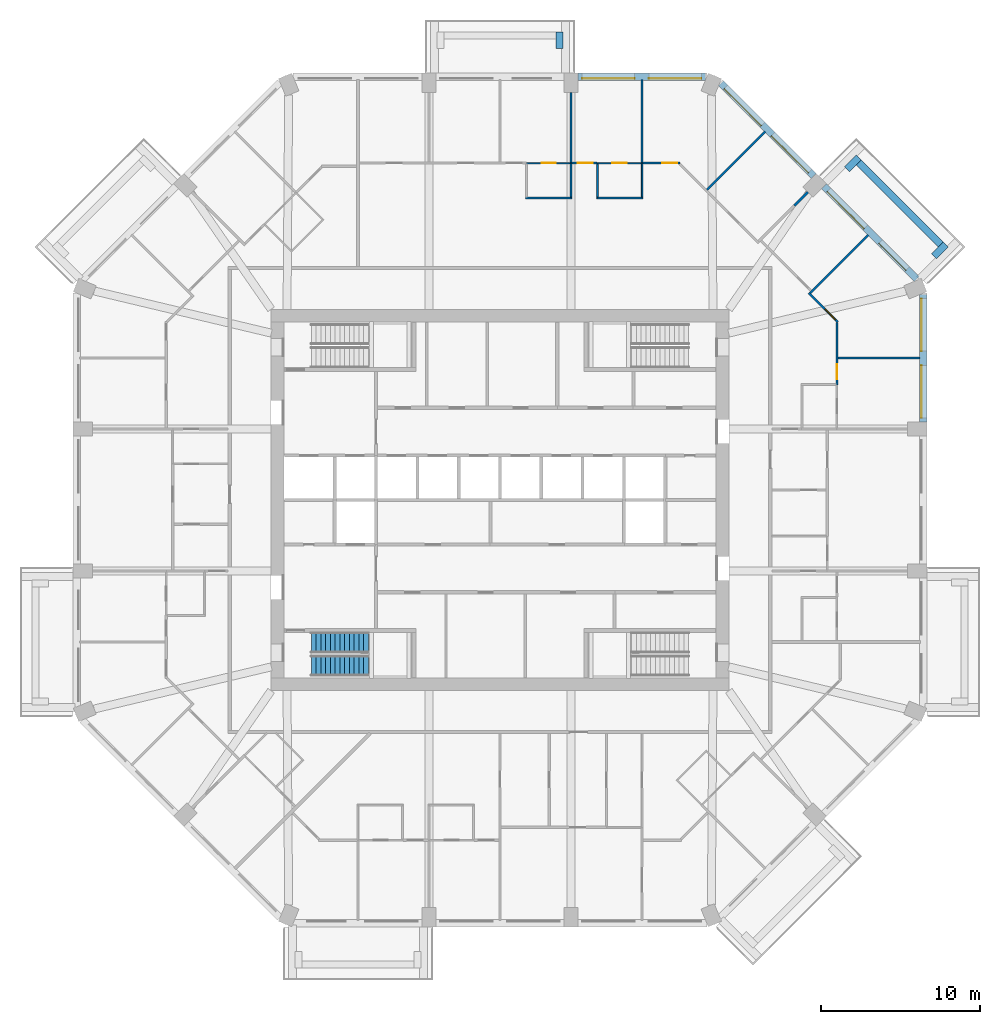
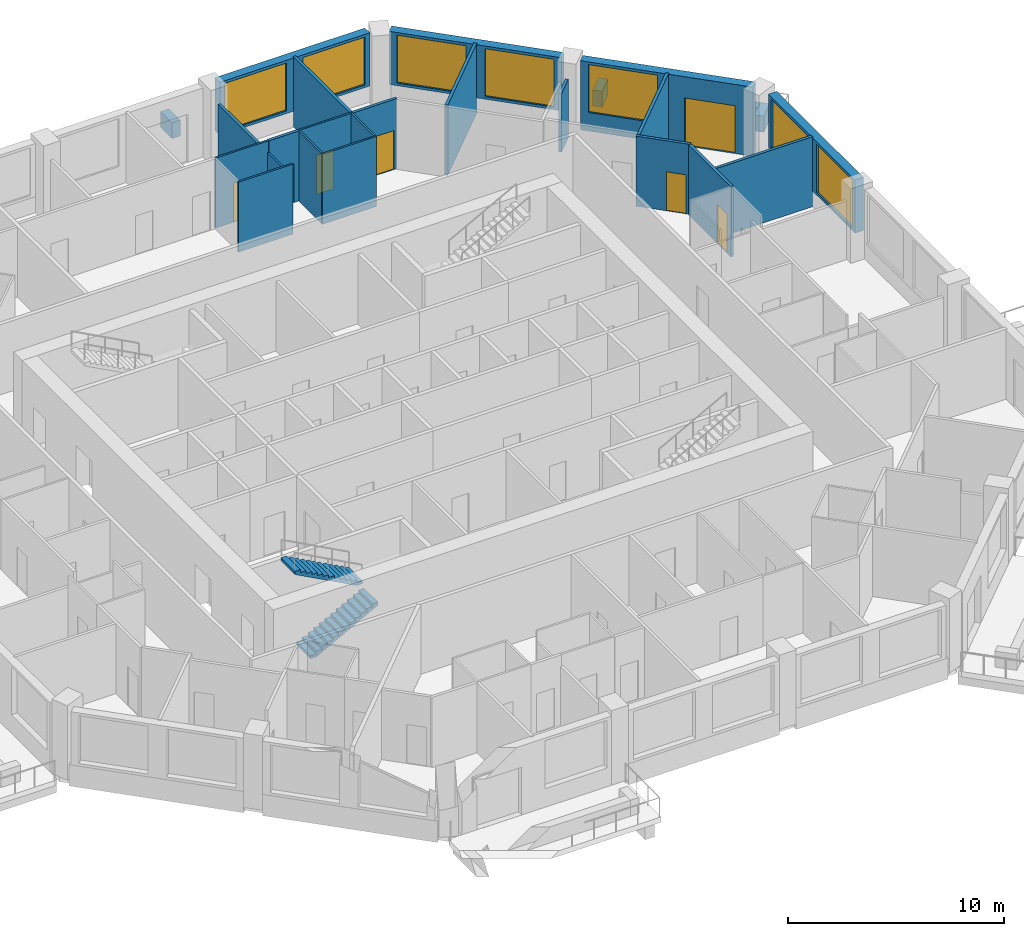
# One storey, part 10 of 12: 25 walls, 7 doors, 7 windows, 2 stair flights, 14 openings, 1 element without a shape of its own.
"""IFC4 building model written with IfcOpenShell, lengths in metres."""

from ifc_helpers import new_model, si_unit, direction, frame, frame_2d, origin, place, context, subcontext, project, spatial, polyline, rectangle, outline, extrude, material, layer, layer_set, type_object, element, fill, aggregate, save


model = new_model("IFC4")

# Units and contexts
model_context = context("Model", 3, precision=1e-05, world=origin(), true_north=direction((0.0, 1.0)))
body_context = subcontext(model_context, "Body", "Model", "MODEL_VIEW")
ifc_project = project(units=[si_unit("LENGTHUNIT", "METRE"), si_unit("AREAUNIT", "SQUARE_METRE"), si_unit("VOLUMEUNIT", "CUBIC_METRE"), si_unit("PLANEANGLEUNIT", "RADIAN"), si_unit("MASSUNIT", "GRAM", prefix="KILO")], contexts=[model_context])

# Site, building, storey
site_placement = place(None, origin())
site = spatial("IfcSite", under=ifc_project, at=site_placement, CompositionType="ELEMENT")
building_placement = place(site_placement, origin())
building = spatial("IfcBuilding", under=site, at=building_placement, Name="Msitu Wima Residences", CompositionType="ELEMENT")
storey_placement = place(building_placement, frame((0.0, 0.0, 123.300048828125)))
storey = spatial("IfcBuildingStorey", under=building, at=storey_placement, Name="L28", CompositionType="ELEMENT", Elevation=123.300048828125)

# Walls
ifc_material_1 = material(Name="Facing brick")
ifc_layer_1 = layer(ifc_material_1, 0.06494140625, Name="Facing brick")
ifc_material_2 = material(Name="Concrete C40/50", Category="concrete")
ifc_layer_2 = layer(ifc_material_2, 0.156005859375, Name="Concrete C40/50")
ifc_material_3 = material(Name="Waterproofing membrane")
ifc_layer_3 = layer(ifc_material_3, 0.00390625, Name="Waterproofing membrane")
ifc_material_4 = material(Name="Planting soil and planting")
ifc_layer_4 = layer(ifc_material_4, 0.22509765625, Name="Planting soil and planting")
ifc_layer_set_1 = layer_set([ifc_layer_1, ifc_layer_2, ifc_layer_3, ifc_layer_4], Name="Concrete C40/50")
wall_type_1 = type_object("IfcWallType", Name="Balcony planter PLANTER PL450", PredefinedType="USERDEFINED", material=ifc_layer_set_1)
wall_1_placement = place(storey_placement, frame((27.725830078125, 16.0751953125, 0.0), z_axis=(0.0, 0.0, 1.0), x_axis=(-0.707106781187, 0.707106781187, 0.0)))
element("IfcWall", 1, at=wall_1_placement, inside=storey, type_object=wall_type_1, Name="Balcony planter NE0 L28", ObjectType="PLANTER", PredefinedType="USERDEFINED", context=body_context, shape_type="SweptSolid", body=[
    extrude(rectangle(XDim=7.288330078125, YDim=0.449951171875, at=frame_2d((3.64404296875, 0.0))), origin(), (0.0, 0.0, 1.0), 0.89990234375),
])
for number, where, z_axis, x_axis, name in (
    (2, (27.301513671875, 15.332763671875, 0.0), (0.0, 0.0, 1.0), (0.707106781187, 0.707106781187, 0.0), "Balcony planter NE0 L28"),
    (3, (21.829833984375, 20.804443359375, 0.0), (0.0, 0.0, 1.0), (0.707106781187, 0.707106781187, 0.0), "Balcony planter NE0 L28"),
    (4, (3.74365234375, 28.39990234375, 0.0), (0.0, 0.0, 1.0), (0.0, 1.0, 0.0), "Balcony planter N1 L28"),
):
    element("IfcWall", number, at=place(storey_placement, frame(where, z_axis=z_axis, x_axis=x_axis)), inside=storey, type_object=wall_type_1, Name=name, ObjectType="PLANTER", PredefinedType="USERDEFINED", context=body_context, shape_type="SweptSolid", body=[
        extrude(rectangle(XDim=1.050048828125, YDim=0.449951171875, at=frame_2d((0.52490234375, 0.0))), origin(), (0.0, 0.0, 1.0), 0.89990234375),
    ])

# Wall, openings, windows
ifc_material_5 = material(Name="Brick (red buff mix)", Category="masonry")
ifc_layer_5 = layer(ifc_material_5, 0.449951171875)
ifc_layer_set_2 = layer_set([ifc_layer_5], Name="Brick (red buff mix)")
wall_type_2 = type_object("IfcWallType", Name="Brick infill wall BW450", PredefinedType="SOLIDWALL", material=ifc_layer_set_2)
wall_2_placement = place(storey_placement, frame((26.625, 4.918701171875, 0.89990234375), z_axis=(0.0, 0.0, 1.0), x_axis=(0.0, 1.0, 0.0)))
wall_2 = element("IfcWall", 5, at=wall_2_placement, inside=storey, type_object=wall_type_2, Name="Brick infill wall L28 E2", PredefinedType="SOLIDWALL", context=body_context, shape_type="SweptSolid", body=[
    extrude(rectangle(XDim=8.0, YDim=0.449951171875, at=frame_2d((4.0, 0.0))), origin(), (0.0, 0.0, 1.0), 3.0),
])
opening_1_placement = place(wall_2_placement, frame((0.25, 0.0, 0.14990234375)))
opening_1 = element("IfcOpeningElement", 6, at=opening_1_placement, cuts=wall_2, Name="Opening W27-29.004", PredefinedType="OPENING", context=body_context, shape_type="SweptSolid", body=[
    extrude(rectangle(XDim=3.300048828125, YDim=2.699951171875, at=frame_2d((1.64990234375, 1.35009765625))), frame((0.0, 0.23486328125, 0.0), z_axis=(0.0, -1.0, 0.0), x_axis=(1.0, 0.0, 0.0)), (0.0, 0.0, 1.0), 0.469970703125),
])
opening_2_placement = place(wall_2_placement, frame((4.4501953125, 0.0, 0.14990234375)))
opening_2 = element("IfcOpeningElement", 7, at=opening_2_placement, cuts=wall_2, Name="Opening W27-29.005", PredefinedType="OPENING", context=body_context, shape_type="SweptSolid", body=[
    extrude(rectangle(XDim=3.300048828125, YDim=2.699951171875, at=frame_2d((1.64990234375, 1.35009765625))), frame((0.0, 0.23486328125, 0.0), z_axis=(0.0, -1.0, 0.0), x_axis=(1.0, 0.0, 0.0)), (0.0, 0.0, 1.0), 0.469970703125),
])
ifc_material_6 = material(Name="Anodised aluminium, bronze finish, clear low-emissivity double glazing", Category="aluminium")
window_type = type_object("IfcWindowType", Name="Window W3300x2700", PartitioningType="DOUBLE_PANEL_VERTICAL", PredefinedType="WINDOW", material=ifc_material_6)
window_1_placement = place(opening_1_placement, origin())
window_1 = element("IfcWindow", 8, at=window_1_placement, inside=storey, type_object=window_type, Name="Window L28 E2.1", OverallHeight=2.699951171875, OverallWidth=3.300048828125, PartitioningType="SINGLE_PANEL", PredefinedType="WINDOW", context=body_context, shape_type="SweptSolid", body=[
    extrude(rectangle(XDim=3.300048828125, YDim=2.699951171875, at=frame_2d((1.64990234375, 1.35009765625))), frame((0.0, 0.135009765625, 0.0), z_axis=(0.0, -1.0, 0.0), x_axis=(1.0, 0.0, 0.0)), (0.0, 0.0, 1.0), 0.06005859375),
])
fill(opening_1, window_1)
window_2_placement = place(opening_2_placement, origin())
window_2 = element("IfcWindow", 9, at=window_2_placement, inside=storey, type_object=window_type, Name="Window L28 E2.2", OverallHeight=2.699951171875, OverallWidth=3.300048828125, PartitioningType="SINGLE_PANEL", PredefinedType="WINDOW", context=body_context, shape_type="SweptSolid", body=[
    extrude(rectangle(XDim=3.300048828125, YDim=2.699951171875, at=frame_2d((1.64990234375, 1.35009765625))), frame((0.0, 0.135009765625, 0.0), z_axis=(0.0, -1.0, 0.0), x_axis=(1.0, 0.0, 0.0)), (0.0, 0.0, 1.0), 0.06005859375),
])
fill(opening_2, window_2)

# Wall, openings, door, window
wall_3_placement = place(storey_placement, frame((26.214599609375, 13.909423828125, 0.0), z_axis=(0.0, 0.0, 1.0), x_axis=(-0.707106781187, 0.707106781187, 0.0)))
wall_3 = element("IfcWall", 10, at=wall_3_placement, inside=storey, type_object=wall_type_2, Name="Brick infill wall L28 NE0", PredefinedType="SOLIDWALL", context=body_context, shape_type="SweptSolid", body=[
    extrude(rectangle(XDim=8.251220703125, YDim=0.449951171875, at=frame_2d((4.12548828125, 0.0))), origin(), (0.0, 0.0, 1.0), 3.89990234375),
])
opening_3_placement = place(wall_3_placement, frame((0.86279296875, 0.0, 0.0)))
opening_3 = element("IfcOpeningElement", 11, at=opening_3_placement, cuts=wall_3, Name="Opening D27-29.003", PredefinedType="OPENING", context=body_context, shape_type="SweptSolid", body=[
    extrude(rectangle(XDim=2.39990234375, YDim=2.699951171875, at=frame_2d((1.199951171875, 1.35009765625))), frame((0.0, 0.23486328125, 0.0), z_axis=(0.0, -1.0, 0.0), x_axis=(1.0, 0.0, 0.0)), (0.0, 0.0, 1.0), 0.469970703125),
])
opening_4_placement = place(wall_3_placement, frame((4.57568359375, 0.0, 1.050048828125)))
opening_4 = element("IfcOpeningElement", 12, at=opening_4_placement, cuts=wall_3, Name="Opening W27-29.011", PredefinedType="OPENING", context=body_context, shape_type="SweptSolid", body=[
    extrude(rectangle(XDim=3.300048828125, YDim=2.699951171875, at=frame_2d((1.64990234375, 1.35009765625))), frame((0.0, 0.23486328125, 0.0), z_axis=(0.0, -1.0, 0.0), x_axis=(1.0, 0.0, 0.0)), (0.0, 0.0, 1.0), 0.469970703125),
])
door_type_1 = type_object("IfcDoorType", Name="Balcony door D2400x2700", OperationType="SLIDING_TO_LEFT", PredefinedType="DOOR", material=ifc_material_6)
door_1_placement = place(opening_3_placement, origin())
door_1 = element("IfcDoor", 13, at=door_1_placement, inside=storey, type_object=door_type_1, Name="Balcony door L28 NE0", OperationType="SINGLE_SWING_LEFT", OverallHeight=2.699951171875, OverallWidth=2.39990234375, PredefinedType="DOOR", context=body_context, shape_type="SweptSolid", body=[
    extrude(rectangle(XDim=2.39990234375, YDim=2.699951171875, at=frame_2d((1.199951171875, 1.35009765625))), frame((0.0, 0.1298828125, 0.0), z_axis=(0.0, -1.0, 0.0), x_axis=(1.0, 0.0, 0.0)), (0.0, 0.0, 1.0), 0.050048828125),
])
fill(opening_3, door_1)
window_3_placement = place(opening_4_placement, origin())
window_3 = element("IfcWindow", 14, at=window_3_placement, inside=storey, type_object=window_type, Name="Window L28 NE0.2", OverallHeight=2.699951171875, OverallWidth=3.300048828125, PartitioningType="SINGLE_PANEL", PredefinedType="WINDOW", context=body_context, shape_type="SweptSolid", body=[
    extrude(rectangle(XDim=3.300048828125, YDim=2.699951171875, at=frame_2d((1.64990234375, 1.35009765625))), frame((0.0, 0.135009765625, 0.0), z_axis=(0.0, -1.0, 0.0), x_axis=(1.0, 0.0, 0.0)), (0.0, 0.0, 1.0), 0.06005859375),
])
fill(opening_4, window_3)

# Wall, openings, windows
wall_4_placement = place(storey_placement, frame((19.743896484375, 20.380126953125, 0.89990234375), z_axis=(0.0, 0.0, 1.0), x_axis=(-0.707106781187, 0.707106781187, 0.0)))
wall_4 = element("IfcWall", 15, at=wall_4_placement, inside=storey, type_object=wall_type_2, Name="Brick infill wall L28 NE1", PredefinedType="SOLIDWALL", context=body_context, shape_type="SweptSolid", body=[
    extrude(rectangle(XDim=8.251220703125, YDim=0.449951171875, at=frame_2d((4.12548828125, 0.0))), origin(), (0.0, 0.0, 1.0), 3.0),
])
opening_5_placement = place(wall_4_placement, frame((0.37548828125, 0.0, 0.14990234375)))
opening_5 = element("IfcOpeningElement", 16, at=opening_5_placement, cuts=wall_4, Name="Opening W27-29.012", PredefinedType="OPENING", context=body_context, shape_type="SweptSolid", body=[
    extrude(rectangle(XDim=3.300048828125, YDim=2.699951171875, at=frame_2d((1.64990234375, 1.35009765625))), frame((0.0, 0.23486328125, 0.0), z_axis=(0.0, -1.0, 0.0), x_axis=(1.0, 0.0, 0.0)), (0.0, 0.0, 1.0), 0.469970703125),
])
opening_6_placement = place(wall_4_placement, frame((4.57568359375, 0.0, 0.14990234375)))
opening_6 = element("IfcOpeningElement", 17, at=opening_6_placement, cuts=wall_4, Name="Opening W27-29.013", PredefinedType="OPENING", context=body_context, shape_type="SweptSolid", body=[
    extrude(rectangle(XDim=3.300048828125, YDim=2.699951171875, at=frame_2d((1.64990234375, 1.35009765625))), frame((0.0, 0.23486328125, 0.0), z_axis=(0.0, -1.0, 0.0), x_axis=(1.0, 0.0, 0.0)), (0.0, 0.0, 1.0), 0.469970703125),
])
window_4_placement = place(opening_5_placement, origin())
window_4 = element("IfcWindow", 18, at=window_4_placement, inside=storey, type_object=window_type, Name="Window L28 NE1.1", OverallHeight=2.699951171875, OverallWidth=3.300048828125, PartitioningType="SINGLE_PANEL", PredefinedType="WINDOW", context=body_context, shape_type="SweptSolid", body=[
    extrude(rectangle(XDim=3.300048828125, YDim=2.699951171875, at=frame_2d((1.64990234375, 1.35009765625))), frame((0.0, 0.135009765625, 0.0), z_axis=(0.0, -1.0, 0.0), x_axis=(1.0, 0.0, 0.0)), (0.0, 0.0, 1.0), 0.06005859375),
])
fill(opening_5, window_4)
window_5_placement = place(opening_6_placement, origin())
window_5 = element("IfcWindow", 19, at=window_5_placement, inside=storey, type_object=window_type, Name="Window L28 NE1.2", OverallHeight=2.699951171875, OverallWidth=3.300048828125, PartitioningType="SINGLE_PANEL", PredefinedType="WINDOW", context=body_context, shape_type="SweptSolid", body=[
    extrude(rectangle(XDim=3.300048828125, YDim=2.699951171875, at=frame_2d((1.64990234375, 1.35009765625))), frame((0.0, 0.135009765625, 0.0), z_axis=(0.0, -1.0, 0.0), x_axis=(1.0, 0.0, 0.0)), (0.0, 0.0, 1.0), 0.06005859375),
])
fill(opening_6, window_5)

wall_5_placement = place(storey_placement, frame((12.918701171875, 26.625, 0.89990234375), z_axis=(0.0, 0.0, 1.0), x_axis=(-1.0, 0.0, 0.0)))
wall_5 = element("IfcWall", 20, at=wall_5_placement, inside=storey, type_object=wall_type_2, Name="Brick infill wall L28 N0", PredefinedType="SOLIDWALL", context=body_context, shape_type="SweptSolid", body=[
    extrude(rectangle(XDim=8.0, YDim=0.449951171875, at=frame_2d((4.0, 0.0))), origin(), (0.0, 0.0, 1.0), 3.0),
])
opening_7_placement = place(wall_5_placement, frame((0.25, 0.0, 0.14990234375)))
opening_7 = element("IfcOpeningElement", 21, at=opening_7_placement, cuts=wall_5, Name="Opening W27-29.006", PredefinedType="OPENING", context=body_context, shape_type="SweptSolid", body=[
    extrude(rectangle(XDim=3.300048828125, YDim=2.699951171875, at=frame_2d((1.64990234375, 1.35009765625))), frame((0.0, 0.23486328125, 0.0), z_axis=(0.0, -1.0, 0.0), x_axis=(1.0, 0.0, 0.0)), (0.0, 0.0, 1.0), 0.469970703125),
])
opening_8_placement = place(wall_5_placement, frame((4.4501953125, 0.0, 0.14990234375)))
opening_8 = element("IfcOpeningElement", 22, at=opening_8_placement, cuts=wall_5, Name="Opening W27-29.007", PredefinedType="OPENING", context=body_context, shape_type="SweptSolid", body=[
    extrude(rectangle(XDim=3.300048828125, YDim=2.699951171875, at=frame_2d((1.64990234375, 1.35009765625))), frame((0.0, 0.23486328125, 0.0), z_axis=(0.0, -1.0, 0.0), x_axis=(1.0, 0.0, 0.0)), (0.0, 0.0, 1.0), 0.469970703125),
])
window_6_placement = place(opening_7_placement, origin())
window_6 = element("IfcWindow", 23, at=window_6_placement, inside=storey, type_object=window_type, Name="Window L28 N0.1", OverallHeight=2.699951171875, OverallWidth=3.300048828125, PartitioningType="SINGLE_PANEL", PredefinedType="WINDOW", context=body_context, shape_type="SweptSolid", body=[
    extrude(rectangle(XDim=3.300048828125, YDim=2.699951171875, at=frame_2d((1.64990234375, 1.35009765625))), frame((0.0, 0.135009765625, 0.0), z_axis=(0.0, -1.0, 0.0), x_axis=(1.0, 0.0, 0.0)), (0.0, 0.0, 1.0), 0.06005859375),
])
fill(opening_7, window_6)
window_7_placement = place(opening_8_placement, origin())
window_7 = element("IfcWindow", 24, at=window_7_placement, inside=storey, type_object=window_type, Name="Window L28 N0.2", OverallHeight=2.699951171875, OverallWidth=3.300048828125, PartitioningType="SINGLE_PANEL", PredefinedType="WINDOW", context=body_context, shape_type="SweptSolid", body=[
    extrude(rectangle(XDim=3.300048828125, YDim=2.699951171875, at=frame_2d((1.64990234375, 1.35009765625))), frame((0.0, 0.135009765625, 0.0), z_axis=(0.0, -1.0, 0.0), x_axis=(1.0, 0.0, 0.0)), (0.0, 0.0, 1.0), 0.06005859375),
])
fill(opening_8, window_7)

# Wall
ifc_material_7 = material(Name="Plaster")
ifc_layer_6 = layer(ifc_material_7, 0.011962890625, Name="Plaster")
ifc_material_8 = material(Name="Concrete blockwork", Category="masonry")
ifc_layer_7 = layer(ifc_material_8, 0.1259765625, Name="Concrete blockwork")
ifc_layer_8 = layer(ifc_material_7, 0.011962890625, Name="Plaster")
ifc_layer_set_3 = layer_set([ifc_layer_6, ifc_layer_7, ifc_layer_8], Name="Concrete blockwork")
wall_type_3 = type_object("IfcWallType", Name="Partition PW150", PredefinedType="PARTITIONING", material=ifc_layer_set_3)
wall_6_placement = place(storey_placement, frame((4.46875, 21.179931640625, 0.0), z_axis=(0.0, 0.0, 1.0), x_axis=(0.0, 1.0, 0.0)))
element("IfcWall", 25, at=wall_6_placement, inside=storey, type_object=wall_type_3, Name="Partition", PredefinedType="PARTITIONING", context=body_context, shape_type="SweptSolid", body=[
    extrude(rectangle(XDim=4.469970703125, YDim=0.14990234375, at=frame_2d((2.23486328125, 0.0))), origin(), (0.0, 0.0, 1.0), 3.300048828125),
])

# Wall, opening, door
wall_7_placement = place(storey_placement, frame((4.488525390625, 21.199951171875, 0.0), z_axis=(0.0, 0.0, 1.0), x_axis=(1.0, 0.0, 0.0)))
wall_7 = element("IfcWall", 26, at=wall_7_placement, inside=storey, type_object=wall_type_3, Name="Partition", PredefinedType="PARTITIONING", context=body_context, shape_type="SweptSolid", body=[
    extrude(rectangle(XDim=1.628662109375, YDim=0.14990234375, at=frame_2d((0.814453125, 0.0))), origin(), (0.0, 0.0, 1.0), 3.949951171875),
])
opening_9_placement = place(wall_7_placement, frame((0.39990234375, 0.0, 0.0)))
opening_9 = element("IfcOpeningElement", 27, at=opening_9_placement, cuts=wall_7, Name="Opening D27-29.081", PredefinedType="OPENING", context=body_context, shape_type="SweptSolid", body=[
    extrude(rectangle(XDim=0.949951171875, YDim=2.199951171875, at=frame_2d((0.47509765625, 1.10009765625))), frame((0.0, 0.0849609375, 0.0), z_axis=(0.0, -1.0, 0.0), x_axis=(1.0, 0.0, 0.0)), (0.0, 0.0, 1.0), 0.169921875),
])
ifc_material_9 = material(Name="Timber flush door", Category="wood")
door_type_2 = type_object("IfcDoorType", Name="Room door D12 950x2200", OperationType="SINGLE_SWING_LEFT", PredefinedType="DOOR", material=ifc_material_9)
door_2_placement = place(opening_9_placement, origin())
door_2 = element("IfcDoor", 28, at=door_2_placement, inside=storey, type_object=door_type_2, Name="Room door", OperationType="SINGLE_SWING_LEFT", OverallHeight=2.199951171875, OverallWidth=0.949951171875, PredefinedType="DOOR", context=body_context, shape_type="SweptSolid", body=[
    extrude(rectangle(XDim=0.949951171875, YDim=2.199951171875, at=frame_2d((0.47509765625, 1.10009765625))), frame((0.0, 0.02490234375, 0.0), z_axis=(0.0, -1.0, 0.0), x_axis=(1.0, 0.0, 0.0)), (0.0, 0.0, 1.0), 0.050048828125),
])
fill(opening_9, door_2)

# Wall
wall_8_placement = place(storey_placement, frame((8.937255859375, 21.179931640625, 0.0), z_axis=(0.0, 0.0, 1.0), x_axis=(0.0, 1.0, 0.0)))
element("IfcWall", 29, at=wall_8_placement, inside=storey, type_object=wall_type_3, Name="Partition", PredefinedType="PARTITIONING", context=body_context, shape_type="SweptSolid", body=[
    extrude(rectangle(XDim=5.275146484375, YDim=0.14990234375, at=frame_2d((2.6376953125, 0.0))), origin(), (0.0, 0.0, 1.0), 3.949951171875),
])

# Wall, opening, door
wall_9_placement = place(storey_placement, frame((8.957275390625, 21.199951171875, 0.0), z_axis=(0.0, 0.0, 1.0), x_axis=(1.0, 0.0, 0.0)))
wall_9 = element("IfcWall", 30, at=wall_9_placement, inside=storey, type_object=wall_type_3, Name="Partition", PredefinedType="PARTITIONING", context=body_context, shape_type="SweptSolid", body=[
    extrude(rectangle(XDim=2.36962890625, YDim=0.14990234375, at=frame_2d((1.184814453125, 0.0))), origin(), (0.0, 0.0, 1.0), 3.949951171875),
])
opening_10_placement = place(wall_9_placement, frame((1.25, 0.0, 0.0)))
opening_10 = element("IfcOpeningElement", 31, at=opening_10_placement, cuts=wall_9, Name="Opening D27-29.042", PredefinedType="OPENING", context=body_context, shape_type="SweptSolid", body=[
    extrude(rectangle(XDim=0.949951171875, YDim=2.199951171875, at=frame_2d((0.47509765625, 1.10009765625))), frame((0.0, 0.0849609375, 0.0), z_axis=(0.0, -1.0, 0.0), x_axis=(1.0, 0.0, 0.0)), (0.0, 0.0, 1.0), 0.169921875),
])
door_3_placement = place(opening_10_placement, origin())
door_3 = element("IfcDoor", 32, at=door_3_placement, inside=storey, type_object=door_type_2, Name="Room door", OperationType="SINGLE_SWING_LEFT", OverallHeight=2.199951171875, OverallWidth=0.949951171875, PredefinedType="DOOR", context=body_context, shape_type="SweptSolid", body=[
    extrude(rectangle(XDim=0.949951171875, YDim=2.199951171875, at=frame_2d((0.47509765625, 1.10009765625))), frame((0.0, 0.02490234375, 0.0), z_axis=(0.0, -1.0, 0.0), x_axis=(1.0, 0.0, 0.0)), (0.0, 0.0, 1.0), 0.050048828125),
])
fill(opening_10, door_3)

# Walls
wall_10_placement = place(storey_placement, frame((13.030517578125, 19.527587890625, 0.0), z_axis=(0.0, 0.0, 1.0), x_axis=(0.707106781187, 0.707106781187, 0.0)))
element("IfcWall", 33, at=wall_10_placement, inside=storey, type_object=wall_type_3, Name="Partition", PredefinedType="PARTITIONING", context=body_context, shape_type="SweptSolid", body=[
    extrude(rectangle(XDim=5.179931640625, YDim=0.14990234375, at=frame_2d((2.58984375, 0.0))), origin(), (0.0, 0.0, 1.0), 3.949951171875),
])
wall_11_placement = place(storey_placement, frame((18.517578125, 18.517578125, 0.0), z_axis=(0.0, 0.0, 1.0), x_axis=(0.707106781187, 0.707106781187, 0.0)))
element("IfcWall", 34, at=wall_11_placement, inside=storey, type_object=wall_type_3, Name="Partition", PredefinedType="PARTITIONING", context=body_context, shape_type="SweptSolid", body=[
    extrude(rectangle(XDim=1.209228515625, YDim=0.14990234375, at=frame_2d((0.6044921875, 0.0))), origin(), (0.0, 0.0, 1.0), 3.300048828125),
])

# Wall, opening, door
wall_12_placement = place(storey_placement, frame((19.42138671875, 13.030517578125, 0.0), z_axis=(0.0, 0.0, 1.0), x_axis=(0.707106781187, -0.707106781187, 0.0)))
wall_12 = element("IfcWall", 35, at=wall_12_placement, inside=storey, type_object=wall_type_3, Name="Partition", PredefinedType="PARTITIONING", context=body_context, shape_type="SweptSolid", body=[
    extrude(rectangle(XDim=2.590087890625, YDim=0.14990234375, at=frame_2d((1.294921875, 0.0))), origin(), (0.0, 0.0, 1.0), 3.949951171875),
])
opening_11_placement = place(wall_12_placement, frame((1.449951171875, 0.0, 0.0)))
opening_11 = element("IfcOpeningElement", 36, at=opening_11_placement, cuts=wall_12, Name="Opening D27-29.043", PredefinedType="OPENING", context=body_context, shape_type="SweptSolid", body=[
    extrude(rectangle(XDim=0.949951171875, YDim=2.199951171875, at=frame_2d((0.47509765625, 1.10009765625))), frame((0.0, 0.0849609375, 0.0), z_axis=(0.0, -1.0, 0.0), x_axis=(1.0, 0.0, 0.0)), (0.0, 0.0, 1.0), 0.169921875),
])
door_4_placement = place(opening_11_placement, origin())
door_4 = element("IfcDoor", 37, at=door_4_placement, inside=storey, type_object=door_type_2, Name="Room door", OperationType="SINGLE_SWING_LEFT", OverallHeight=2.199951171875, OverallWidth=0.949951171875, PredefinedType="DOOR", context=body_context, shape_type="SweptSolid", body=[
    extrude(rectangle(XDim=0.949951171875, YDim=2.199951171875, at=frame_2d((0.47509765625, 1.10009765625))), frame((0.0, 0.02490234375, 0.0), z_axis=(0.0, -1.0, 0.0), x_axis=(1.0, 0.0, 0.0)), (0.0, 0.0, 1.0), 0.050048828125),
])
fill(opening_11, door_4)

# Wall
wall_13_placement = place(storey_placement, frame((19.527587890625, 13.030517578125, 0.0), z_axis=(0.0, 0.0, 1.0), x_axis=(0.707106781187, 0.707106781187, 0.0)))
element("IfcWall", 38, at=wall_13_placement, inside=storey, type_object=wall_type_3, Name="Partition", PredefinedType="PARTITIONING", context=body_context, shape_type="SweptSolid", body=[
    extrude(rectangle(XDim=5.14990234375, YDim=0.14990234375, at=frame_2d((2.574951171875, 0.0))), origin(), (0.0, 0.0, 1.0), 3.949951171875),
])

# Wall, opening, door
wall_14_placement = place(storey_placement, frame((21.199951171875, 7.24853515625, 0.0), z_axis=(0.0, 0.0, 1.0), x_axis=(0.0, 1.0, 0.0)))
wall_14 = element("IfcWall", 39, at=wall_14_placement, inside=storey, type_object=wall_type_3, Name="Partition", PredefinedType="PARTITIONING", context=body_context, shape_type="SweptSolid", body=[
    extrude(rectangle(XDim=3.928466796875, YDim=0.14990234375, at=frame_2d((1.96435546875, 0.0))), origin(), (0.0, 0.0, 1.0), 3.949951171875),
])
opening_12_placement = place(wall_14_placement, frame((0.35009765625, 0.0, 0.0)))
opening_12 = element("IfcOpeningElement", 40, at=opening_12_placement, cuts=wall_14, Name="Opening D27-29.088", PredefinedType="OPENING", context=body_context, shape_type="SweptSolid", body=[
    extrude(rectangle(XDim=0.949951171875, YDim=2.199951171875, at=frame_2d((0.47509765625, 1.10009765625))), frame((0.0, 0.0849609375, 0.0), z_axis=(0.0, -1.0, 0.0), x_axis=(1.0, 0.0, 0.0)), (0.0, 0.0, 1.0), 0.169921875),
])
door_5_placement = place(opening_12_placement, origin())
door_5 = element("IfcDoor", 41, at=door_5_placement, inside=storey, type_object=door_type_2, Name="Room door", OperationType="SINGLE_SWING_LEFT", OverallHeight=2.199951171875, OverallWidth=0.949951171875, PredefinedType="DOOR", context=body_context, shape_type="SweptSolid", body=[
    extrude(rectangle(XDim=0.949951171875, YDim=2.199951171875, at=frame_2d((0.47509765625, 1.10009765625))), frame((0.0, 0.02490234375, 0.0), z_axis=(0.0, -1.0, 0.0), x_axis=(1.0, 0.0, 0.0)), (0.0, 0.0, 1.0), 0.050048828125),
])
fill(opening_12, door_5)

# Wall
wall_15_placement = place(storey_placement, frame((21.27490234375, 8.937255859375, 0.0), z_axis=(0.0, 0.0, 1.0), x_axis=(1.0, 0.0, 0.0)))
element("IfcWall", 42, at=wall_15_placement, inside=storey, type_object=wall_type_3, Name="Partition", PredefinedType="PARTITIONING", context=body_context, shape_type="SweptSolid", body=[
    extrude(rectangle(XDim=5.150146484375, YDim=0.14990234375, at=frame_2d((2.5751953125, 0.0))), origin(), (0.0, 0.0, 1.0), 3.949951171875),
])

# Wall, opening, door
ifc_material_10 = material(Name="Ceramic tiles")
ifc_layer_9 = layer(ifc_material_10, 0.008056640625, Name="Ceramic tiles")
ifc_material_11 = material(Name="Moisture-resistant board")
ifc_layer_10 = layer(ifc_material_11, 0.012451171875, Name="Moisture-resistant board")
ifc_material_12 = material(Name="Light-gauge stud framing with mineral wool")
ifc_layer_11 = layer(ifc_material_12, 0.06689453125, Name="Light-gauge stud framing with mineral wool")
ifc_layer_12 = layer(ifc_material_11, 0.012451171875, Name="Moisture-resistant board")
ifc_layer_set_4 = layer_set([ifc_layer_9, ifc_layer_10, ifc_layer_11, ifc_layer_12], Name="Light-gauge stud framing with mineral wool")
wall_type_4 = type_object("IfcWallType", Name="Wet wall PW100", PredefinedType="PARTITIONING", material=ifc_layer_set_4)
wall_16_placement = place(storey_placement, frame((1.668701171875, 21.199951171875, 0.0), z_axis=(0.0, 0.0, 1.0), x_axis=(1.0, 0.0, 0.0)))
wall_16 = element("IfcWall", 43, at=wall_16_placement, inside=storey, type_object=wall_type_4, Name="Wet wall", PredefinedType="PARTITIONING", context=body_context, shape_type="SweptSolid", body=[
    extrude(rectangle(XDim=2.81982421875, YDim=0.10009765625, at=frame_2d((1.409912109375, 0.0))), origin(), (0.0, 0.0, 1.0), 3.949951171875),
])
opening_13_placement = place(wall_16_placement, frame((0.949951171875, 0.0, 0.0)))
opening_13 = element("IfcOpeningElement", 44, at=opening_13_placement, cuts=wall_16, Name="Opening D27-29.087", PredefinedType="OPENING", context=body_context, shape_type="SweptSolid", body=[
    extrude(rectangle(XDim=0.89990234375, YDim=2.199951171875, at=frame_2d((0.449951171875, 1.10009765625))), frame((0.0, 0.06005859375, 0.0), z_axis=(0.0, -1.0, 0.0), x_axis=(1.0, 0.0, 0.0)), (0.0, 0.0, 1.0), 0.1201171875),
])
ifc_material_13 = material(Name="Timber flush door, moisture resistant", Category="wood")
door_type_3 = type_object("IfcDoorType", Name="Bathroom door D03 900x2200", OperationType="SINGLE_SWING_LEFT", PredefinedType="DOOR", material=ifc_material_13)
door_6_placement = place(opening_13_placement, origin())
door_6 = element("IfcDoor", 45, at=door_6_placement, inside=storey, type_object=door_type_3, Name="Bathroom door", OperationType="SINGLE_SWING_RIGHT", OverallHeight=2.199951171875, OverallWidth=0.89990234375, PredefinedType="DOOR", context=body_context, shape_type="SweptSolid", body=[
    extrude(rectangle(XDim=0.89990234375, YDim=2.199951171875, at=frame_2d((0.449951171875, 1.10009765625))), frame((0.0, 0.02490234375, 0.0), z_axis=(0.0, -1.0, 0.0), x_axis=(1.0, 0.0, 0.0)), (0.0, 0.0, 1.0), 0.050048828125),
])
fill(opening_13, door_6)

# Walls
wall_17_placement = place(storey_placement, frame((1.61865234375, 19.0, 0.0), z_axis=(0.0, 0.0, 1.0), x_axis=(1.0, 0.0, 0.0)))
element("IfcWall", 46, at=wall_17_placement, inside=storey, type_object=wall_type_4, Name="Wet wall", PredefinedType="PARTITIONING", context=body_context, shape_type="SweptSolid", body=[
    extrude(rectangle(XDim=2.89990234375, YDim=0.10009765625, at=frame_2d((1.449951171875, 0.0))), origin(), (0.0, 0.0, 1.0), 3.949951171875),
])
wall_18_placement = place(storey_placement, frame((4.46875, 19.050048828125, 0.0), z_axis=(0.0, 0.0, 1.0), x_axis=(0.0, 1.0, 0.0)))
element("IfcWall", 47, at=wall_18_placement, inside=storey, type_object=wall_type_4, Name="Wet wall", PredefinedType="PARTITIONING", context=body_context, shape_type="SweptSolid", body=[
    extrude(rectangle(XDim=2.1298828125, YDim=0.10009765625, at=frame_2d((1.06494140625, 0.0))), origin(), (0.0, 0.0, 1.0), 3.300048828125),
])

# Wall, opening, door
wall_19_placement = place(storey_placement, frame((6.1171875, 21.199951171875, 0.0), z_axis=(0.0, 0.0, 1.0), x_axis=(1.0, 0.0, 0.0)))
wall_19 = element("IfcWall", 48, at=wall_19_placement, inside=storey, type_object=wall_type_4, Name="Wet wall", PredefinedType="PARTITIONING", context=body_context, shape_type="SweptSolid", body=[
    extrude(rectangle(XDim=2.840087890625, YDim=0.10009765625, at=frame_2d((1.419921875, 0.0))), origin(), (0.0, 0.0, 1.0), 3.949951171875),
])
opening_14_placement = place(wall_19_placement, frame((0.949951171875, 0.0, 0.0)))
opening_14 = element("IfcOpeningElement", 49, at=opening_14_placement, cuts=wall_19, Name="Opening D27-29.085", PredefinedType="OPENING", context=body_context, shape_type="SweptSolid", body=[
    extrude(rectangle(XDim=0.89990234375, YDim=2.199951171875, at=frame_2d((0.449951171875, 1.10009765625))), frame((0.0, 0.06005859375, 0.0), z_axis=(0.0, -1.0, 0.0), x_axis=(1.0, 0.0, 0.0)), (0.0, 0.0, 1.0), 0.1201171875),
])
door_7_placement = place(opening_14_placement, origin())
door_7 = element("IfcDoor", 50, at=door_7_placement, inside=storey, type_object=door_type_3, Name="Bathroom door", OperationType="SINGLE_SWING_RIGHT", OverallHeight=2.199951171875, OverallWidth=0.89990234375, PredefinedType="DOOR", context=body_context, shape_type="SweptSolid", body=[
    extrude(rectangle(XDim=0.89990234375, YDim=2.199951171875, at=frame_2d((0.449951171875, 1.10009765625))), frame((0.0, 0.02490234375, 0.0), z_axis=(0.0, -1.0, 0.0), x_axis=(1.0, 0.0, 0.0)), (0.0, 0.0, 1.0), 0.050048828125),
])
fill(opening_14, door_7)

# Walls
wall_20_placement = place(storey_placement, frame((6.13720703125, 19.050048828125, 0.0), z_axis=(0.0, 0.0, 1.0), x_axis=(0.0, 1.0, 0.0)))
element("IfcWall", 51, at=wall_20_placement, inside=storey, type_object=wall_type_4, Name="Wet wall", PredefinedType="PARTITIONING", context=body_context, shape_type="SweptSolid", body=[
    extrude(rectangle(XDim=2.099853515625, YDim=0.10009765625, at=frame_2d((1.0498046875, 0.0))), origin(), (0.0, 0.0, 1.0), 3.949951171875),
])
wall_21_placement = place(storey_placement, frame((6.087158203125, 19.0, 0.0), z_axis=(0.0, 0.0, 1.0), x_axis=(1.0, 0.0, 0.0)))
element("IfcWall", 52, at=wall_21_placement, inside=storey, type_object=wall_type_4, Name="Wet wall", PredefinedType="PARTITIONING", context=body_context, shape_type="SweptSolid", body=[
    extrude(rectangle(XDim=2.900146484375, YDim=0.10009765625, at=frame_2d((1.4501953125, 0.0))), origin(), (0.0, 0.0, 1.0), 3.949951171875),
])
wall_22_placement = place(storey_placement, frame((8.937255859375, 19.050048828125, 0.0), z_axis=(0.0, 0.0, 1.0), x_axis=(0.0, 1.0, 0.0)))
element("IfcWall", 53, at=wall_22_placement, inside=storey, type_object=wall_type_4, Name="Wet wall", PredefinedType="PARTITIONING", context=body_context, shape_type="SweptSolid", body=[
    extrude(rectangle(XDim=2.1298828125, YDim=0.10009765625, at=frame_2d((1.06494140625, 0.0))), origin(), (0.0, 0.0, 1.0), 3.949951171875),
])

# Stair, stair flights
stair_type = type_object("IfcStairType", Name="Exit stair ES1615-130", PredefinedType="HALF_TURN_STAIR", material=ifc_material_2)
stair_placement = place(storey_placement, origin())
stair = element("IfcStair", 54, at=stair_placement, inside=storey, type_object=stair_type, Name="Exit stair 2", PredefinedType="HALF_TURN_STAIR")
stair_flight_type = type_object("IfcStairFlightType", Name="Exit stair flight ES1615-130", PredefinedType="STRAIGHT", material=ifc_material_2)
stair_flight_1_placement = place(storey_placement, frame((-11.875, -10.425048828125, 0.0), z_axis=(0.0, 0.0, 1.0), x_axis=(1.0, 0.0, 0.0)))
stair_flight_1 = element("IfcStairFlight", 55, at=stair_flight_1_placement, type_object=stair_flight_type, Name="S2 flight 1", NumberOfRisers=13, NumberOfTreads=12, PredefinedType="STRAIGHT", RiserHeight=0.161538462, TreadLength=0.3, context=body_context, shape_type="SweptSolid", body=[
    extrude(outline(polyline([(0.0, 0.0), (0.0, 0.16162109375), (0.300048828125, 0.16162109375), (0.300048828125, 0.322998046875), (0.60009765625, 0.322998046875), (0.60009765625, 0.484619140625), (0.89990234375, 0.484619140625), (0.89990234375, 0.646240234375), (1.199951171875, 0.646240234375), (1.199951171875, 0.8076171875), (1.5, 0.8076171875), (1.5, 0.96923828125), (1.800048828125, 0.96923828125), (1.800048828125, 1.130859375), (2.10009765625, 1.130859375), (2.10009765625, 1.292236328125), (2.39990234375, 1.292236328125), (2.39990234375, 1.453857421875), (2.699951171875, 1.453857421875), (2.699951171875, 1.615478515625), (3.0, 1.615478515625), (3.0, 1.77685546875), (3.300048828125, 1.77685546875), (3.300048828125, 1.9384765625), (3.60009765625, 1.9384765625), (3.60009765625, 2.10009765625), (3.60009765625, 1.768310546875), (0.316162109375, 0.0), (0.0, 0.0)])), frame((0.0, 0.64990234375, 0.0), z_axis=(0.0, -1.0, 0.0), x_axis=(1.0, 0.0, 0.0)), (0.0, 0.0, 1.0), 1.300048828125),
])
stair_flight_2_placement = place(storey_placement, frame((-8.27490234375, -8.97509765625, 2.099853515625), z_axis=(0.0, 0.0, 1.0), x_axis=(-1.0, 0.0, 0.0)))
stair_flight_2 = element("IfcStairFlight", 56, at=stair_flight_2_placement, type_object=stair_flight_type, Name="S2 flight 2", NumberOfRisers=13, NumberOfTreads=12, PredefinedType="STRAIGHT", RiserHeight=0.161538462, TreadLength=0.3, context=body_context, shape_type="SweptSolid", body=[
    extrude(outline(polyline([(0.0, 0.0), (0.0, 0.16162109375), (0.300048828125, 0.16162109375), (0.300048828125, 0.322998046875), (0.60009765625, 0.322998046875), (0.60009765625, 0.484619140625), (0.89990234375, 0.484619140625), (0.89990234375, 0.646240234375), (1.199951171875, 0.646240234375), (1.199951171875, 0.8076171875), (1.5, 0.8076171875), (1.5, 0.96923828125), (1.800048828125, 0.96923828125), (1.800048828125, 1.130859375), (2.10009765625, 1.130859375), (2.10009765625, 1.292236328125), (2.39990234375, 1.292236328125), (2.39990234375, 1.453857421875), (2.699951171875, 1.453857421875), (2.699951171875, 1.615478515625), (3.0, 1.615478515625), (3.0, 1.77685546875), (3.300048828125, 1.77685546875), (3.300048828125, 1.9384765625), (3.60009765625, 1.9384765625), (3.60009765625, 2.10009765625), (3.60009765625, 1.768310546875), (0.316162109375, 0.0), (0.0, 0.0)])), frame((0.0, 0.64990234375, 0.0), z_axis=(0.0, -1.0, 0.0), x_axis=(1.0, 0.0, 0.0)), (0.0, 0.0, 1.0), 1.300048828125),
])
aggregate(stair, [stair_flight_1, stair_flight_2])

save(model, "model.ifc")
